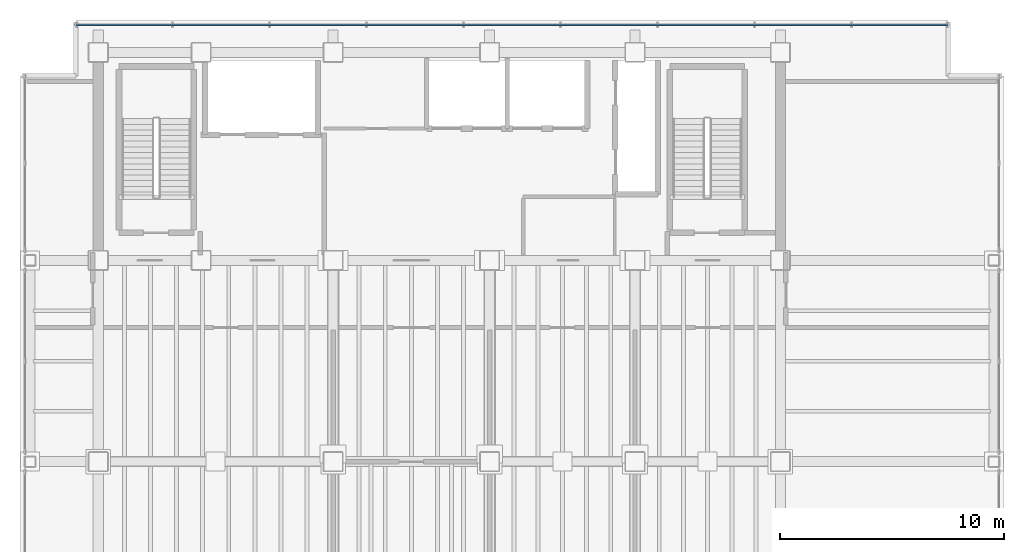
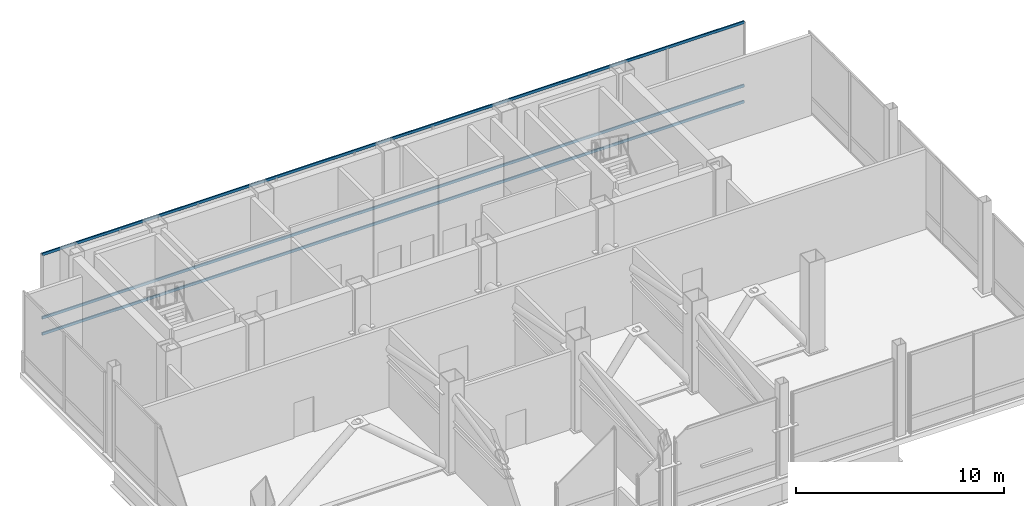
# One storey, part 10 of 18: 3 members, 1 element without a shape of its own.
"""IFC4 building model written with IfcOpenShell, lengths in metres."""

from ifc_helpers import new_model, si_unit, direction, frame, origin, origin_2d, place, context, subcontext, project, spatial, hollow_rectangle, extrude, material, material_profile, profile_set, type_object, element, aggregate, save


model = new_model("IFC4")

# Units and contexts
model_context = context("Model", 3, precision=1e-05, world=origin(), true_north=direction((0.0, 1.0)))
body_context = subcontext(model_context, "Body", "Model", "MODEL_VIEW")
ifc_project = project(units=[si_unit("LENGTHUNIT", "METRE"), si_unit("AREAUNIT", "SQUARE_METRE"), si_unit("VOLUMEUNIT", "CUBIC_METRE"), si_unit("PLANEANGLEUNIT", "RADIAN"), si_unit("MASSUNIT", "GRAM", prefix="KILO")], contexts=[model_context])

# Site, building, storey
site_placement = place(None, origin())
site = spatial("IfcSite", under=ifc_project, at=site_placement, CompositionType="ELEMENT")
building_placement = place(site_placement, origin())
building = spatial("IfcBuilding", under=site, at=building_placement, Name="Noeulbin Bourse Tower", CompositionType="ELEMENT")
storey_placement = place(building_placement, frame((0.0, 0.0, 200.699951171875)))
storey = spatial("IfcBuildingStorey", under=building, at=storey_placement, Name="L50", CompositionType="ELEMENT", Elevation=200.699951171875)

# Curtain wall, members
ifc_material_1 = material(Name="Translucent Ceramic-Fritted Glass", Category="glass")
curtain_wall_type = type_object("IfcCurtainWallType", Name="CW-SYS-5", PredefinedType="NOTDEFINED", material=ifc_material_1)
curtain_wall_placement = place(storey_placement, origin())
curtain_wall = element("IfcCurtainWall", 1, at=curtain_wall_placement, inside=storey, type_object=curtain_wall_type, Name="Unitised Curtain Wall CW-L50-N", PredefinedType="NOTDEFINED")
ifc_material_2 = material(Name="Anodised Aluminium 6063-T6", Category="aluminium")
ifc_material_profile = material_profile(ifc_material_2, hollow_rectangle(XDim=0.074951171875, YDim=0.159912109375, WallThickness=0.0048828125, InnerFilletRadius=0.00244140625, OuterFilletRadius=0.0048828125, at=origin_2d()), Name="ALU-TRAN-75x160x5", Category="LoadBearing")
ifc_profile_set = profile_set([ifc_material_profile], Name="Anodised Aluminium 6063-T6")
member_type = type_object("IfcMemberType", Name="CW-SYS-5-TRN", PredefinedType="USERDEFINED", material=ifc_profile_set)
member_1_placement = place(storey_placement, frame((12.530029296875, 39.530029296875, 0.010009765625), z_axis=(1.0, 0.0, 0.0), x_axis=(0.0, 1.0, 0.0)))
member_1 = element("IfcMember", 2, at=member_1_placement, type_object=member_type, Name="Curtain Wall Transom CW-L50-N-T00", ObjectType="TRANSOM", PredefinedType="USERDEFINED", context=body_context, shape_type="SweptSolid", body=[
    extrude(hollow_rectangle(XDim=0.074951171875, YDim=0.159912109375, WallThickness=0.0048828125, InnerFilletRadius=0.00244140625, OuterFilletRadius=0.0048828125, at=origin_2d()), origin(), (0.0, 0.0, 1.0), 38.93994140625),
])
member_2_placement = place(storey_placement, frame((12.530029296875, 39.530029296875, 0.949951171875), z_axis=(1.0, 0.0, 0.0), x_axis=(0.0, 1.0, 0.0)))
member_2 = element("IfcMember", 3, at=member_2_placement, type_object=member_type, Name="Curtain Wall Transom CW-L50-N-T01", ObjectType="TRANSOM", PredefinedType="USERDEFINED", context=body_context, shape_type="SweptSolid", body=[
    extrude(hollow_rectangle(XDim=0.074951171875, YDim=0.159912109375, WallThickness=0.0048828125, InnerFilletRadius=0.00244140625, OuterFilletRadius=0.0048828125, at=origin_2d()), origin(), (0.0, 0.0, 1.0), 38.93994140625),
])
member_3_placement = place(storey_placement, frame((12.530029296875, 39.530029296875, 4.670166015625), z_axis=(1.0, 0.0, 0.0), x_axis=(0.0, 1.0, 0.0)))
member_3 = element("IfcMember", 4, at=member_3_placement, type_object=member_type, Name="Curtain Wall Transom CW-L50-N-T02", ObjectType="TRANSOM", PredefinedType="USERDEFINED", context=body_context, shape_type="SweptSolid", body=[
    extrude(hollow_rectangle(XDim=0.074951171875, YDim=0.159912109375, WallThickness=0.0048828125, InnerFilletRadius=0.00244140625, OuterFilletRadius=0.0048828125, at=origin_2d()), origin(), (0.0, 0.0, 1.0), 38.93994140625),
])
aggregate(curtain_wall, [member_1, member_2, member_3])

save(model, "model.ifc")
